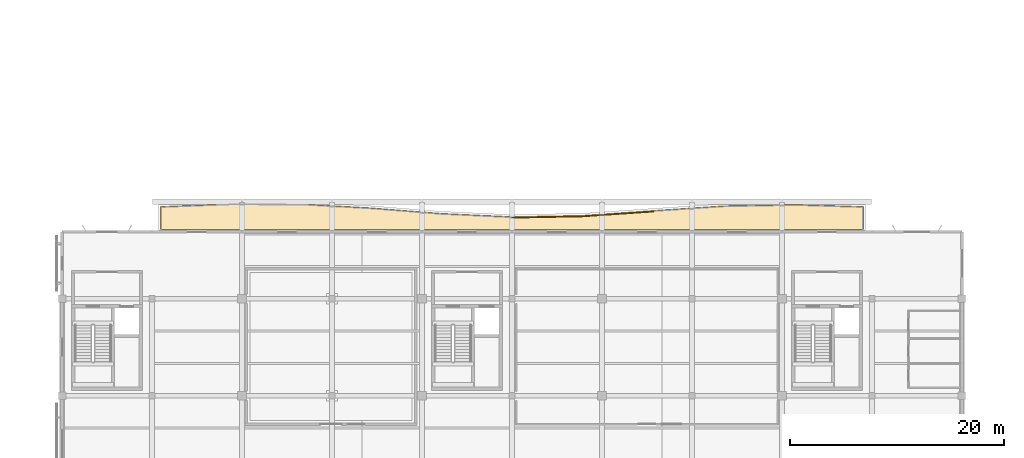
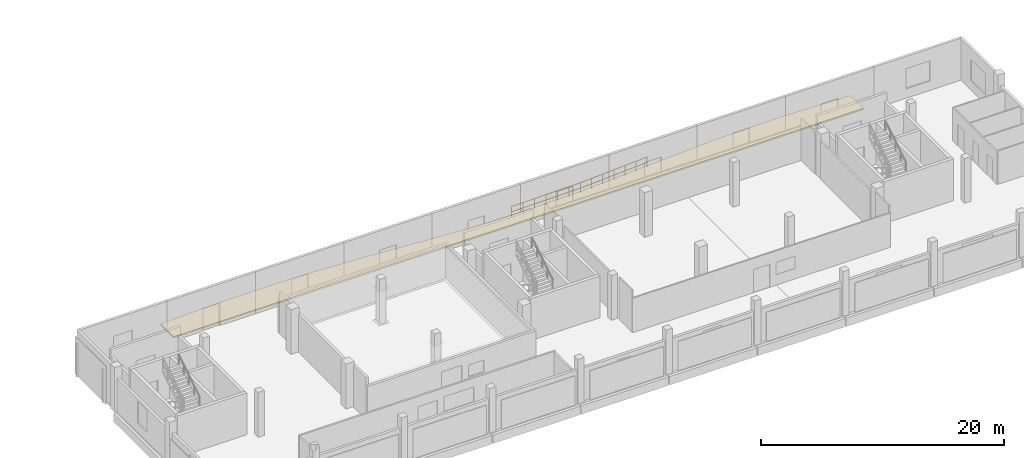
# One storey, part 28 of 34: 2 railings, 1 covering.
"""IFC4 building model written with IfcOpenShell, lengths in metres."""

from ifc_helpers import new_model, si_unit, direction, frame, origin, origin_2d, place, context, subcontext, project, spatial, polyline, circle, outline, extrude, material, layer, layer_set, type_object, element, save


model = new_model("IFC4")

# Units and contexts
model_context = context("Model", 3, precision=1e-05, world=origin(), true_north=direction((0.0, 1.0)))
body_context = subcontext(model_context, "Body", "Model", "MODEL_VIEW")
ifc_project = project(units=[si_unit("LENGTHUNIT", "METRE"), si_unit("AREAUNIT", "SQUARE_METRE"), si_unit("VOLUMEUNIT", "CUBIC_METRE"), si_unit("PLANEANGLEUNIT", "RADIAN"), si_unit("MASSUNIT", "GRAM", prefix="KILO")], contexts=[model_context])

# Site, building, storey
site_placement = place(None, origin())
site = spatial("IfcSite", under=ifc_project, at=site_placement, CompositionType="ELEMENT")
building_placement = place(site_placement, origin())
building = spatial("IfcBuilding", under=site, at=building_placement, Name="Khurvash Pelagic Aquarium", CompositionType="ELEMENT")
storey_placement = place(building_placement, frame((0.0, 0.0, 15.60009765625)))
storey = spatial("IfcBuildingStorey", under=building, at=storey_placement, Name="L03", CompositionType="ELEMENT", Elevation=15.60009765625)

# Railings
ifc_material_1 = material(Name="Laminated glass and stainless steel 316", Category="steel")
railing_type = type_object("IfcRailingType", Name="BL-01", PredefinedType="BALUSTRADE", material=ifc_material_1)
railing_1_placement = place(storey_placement, frame((67.205078125, 28.283935546875, 0.0)))
element("IfcRailing", 1, at=railing_1_placement, inside=storey, type_object=railing_type, Name="L03 Planted Terrace Perimeter Balustrade BL-01 0042", PredefinedType="BALUSTRADE", context=body_context, shape_type="SweptSolid", body=[
    extrude(circle(Radius=0.02392578125, at=origin_2d()), frame((0.0, 0.0, 1.076171875), z_axis=(0.999820689957, 0.018936418202, 0.0), x_axis=(-0.018936418202, 0.999820689957, 0.0)), (0.0, 0.0, 1.0), 6.60107421875),
    extrude(circle(Radius=0.02392578125, at=origin_2d()), frame((0.0, 0.0, 0.5380859375), z_axis=(0.999820689957, 0.018936418202, 0.0), x_axis=(-0.018936418202, 0.999820689957, 0.0)), (0.0, 0.0, 1.0), 6.60107421875),
    extrude(circle(Radius=0.02099609375, at=origin_2d()), origin(), (0.0, 0.0, 1.0), 1.052001953125),
    extrude(circle(Radius=0.02099609375, at=origin_2d()), frame((1.10009765625, 0.020751953125, 0.0)), (0.0, 0.0, 1.0), 1.052001953125),
    extrude(circle(Radius=0.02099609375, at=origin_2d()), frame((2.199951171875, 0.041748046875, 0.0)), (0.0, 0.0, 1.0), 1.052001953125),
    extrude(circle(Radius=0.02099609375, at=origin_2d()), frame((3.2998046875, 0.0625, 0.0)), (0.0, 0.0, 1.0), 1.052001953125),
    extrude(circle(Radius=0.02099609375, at=origin_2d()), frame((4.39990234375, 0.083251953125, 0.0)), (0.0, 0.0, 1.0), 1.052001953125),
    extrude(circle(Radius=0.02099609375, at=origin_2d()), frame((5.5, 0.104248046875, 0.0)), (0.0, 0.0, 1.0), 1.052001953125),
    extrude(circle(Radius=0.02099609375, at=origin_2d()), frame((6.599853515625, 0.125, 0.0)), (0.0, 0.0, 1.0), 1.052001953125),
])
railing_2_placement = place(storey_placement, frame((73.819091796875, 28.409912109375, 0.0)))
element("IfcRailing", 2, at=railing_2_placement, inside=storey, type_object=railing_type, Name="L03 Planted Terrace Perimeter Balustrade BL-01 0043", PredefinedType="BALUSTRADE", context=body_context, shape_type="SweptSolid", body=[
    extrude(circle(Radius=0.02392578125, at=origin_2d()), frame((0.0, 0.0, 1.076171875), z_axis=(0.997651419793, 0.068495580777, 0.0), x_axis=(-0.068495580777, 0.997651419793, 0.0)), (0.0, 0.0, 1.0), 6.615478515625),
    extrude(circle(Radius=0.02392578125, at=origin_2d()), frame((0.0, 0.0, 0.5380859375), z_axis=(0.997651419793, 0.068495580777, 0.0), x_axis=(-0.068495580777, 0.997651419793, 0.0)), (0.0, 0.0, 1.0), 6.615478515625),
    extrude(circle(Radius=0.02099609375, at=origin_2d()), origin(), (0.0, 0.0, 1.0), 1.052001953125),
    extrude(circle(Radius=0.02099609375, at=origin_2d()), frame((1.10009765625, 0.075439453125, 0.0)), (0.0, 0.0, 1.0), 1.052001953125),
    extrude(circle(Radius=0.02099609375, at=origin_2d()), frame((2.199951171875, 0.151123046875, 0.0)), (0.0, 0.0, 1.0), 1.052001953125),
    extrude(circle(Radius=0.02099609375, at=origin_2d()), frame((3.2998046875, 0.2265625, 0.0)), (0.0, 0.0, 1.0), 1.052001953125),
    extrude(circle(Radius=0.02099609375, at=origin_2d()), frame((4.39990234375, 0.302001953125, 0.0)), (0.0, 0.0, 1.0), 1.052001953125),
    extrude(circle(Radius=0.02099609375, at=origin_2d()), frame((5.5, 0.377685546875, 0.0)), (0.0, 0.0, 1.0), 1.052001953125),
    extrude(circle(Radius=0.02099609375, at=origin_2d()), frame((6.599853515625, 0.453125, 0.0)), (0.0, 0.0, 1.0), 1.052001953125),
])

# Covering
ifc_material_2 = material(Name="Vegetated monsoon-retention substrate and drainage mat", Category="earth")
ifc_layer = layer(ifc_material_2, 0.14990234375)
ifc_layer_set = layer_set([ifc_layer], Name="Vegetated monsoon-retention substrate and drainage mat")
covering_type = type_object("IfcCoveringType", Name="CV-RF02", PredefinedType="ROOFING", material=ifc_layer_set)
covering_placement = place(storey_placement, origin())
element("IfcCovering", 3, at=covering_placement, inside=storey, type_object=covering_type, Name="L03 Monsoon Retention Terrace Substrate TERR_L03_S", PredefinedType="ROOFING", context=body_context, shape_type="SweptSolid", body=[
    extrude(outline(polyline([(34.39990234375, 27.14990234375), (34.39990234375, 29.30810546875), (40.803955078125, 29.56298828125), (47.39404296875, 29.56005859375), (53.987060546875, 29.18994140625), (60.583984375, 28.6708984375), (60.591064453125, 28.669921875), (67.19091796875, 28.364013671875), (67.2041015625, 28.364013671875), (73.803955078125, 28.489013671875), (73.81396484375, 28.489013671875), (80.4130859375, 28.94189453125), (87.009033203125, 29.3798828125), (93.59912109375, 29.5048828125), (100.0, 29.305908203125), (100.0, 27.14990234375), (34.39990234375, 27.14990234375)])), origin(), (0.0, 0.0, 1.0), 0.14990234375),
])

save(model, "model.ifc")
